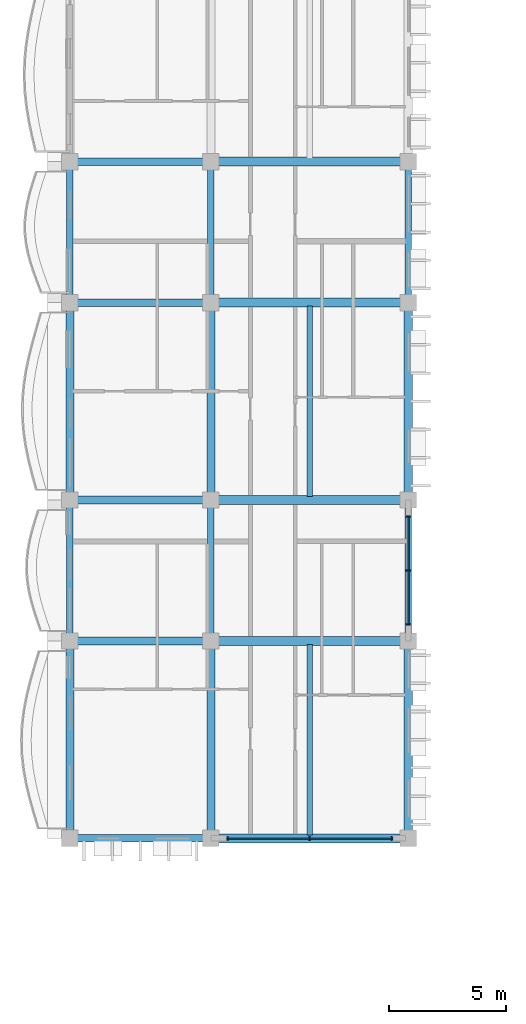
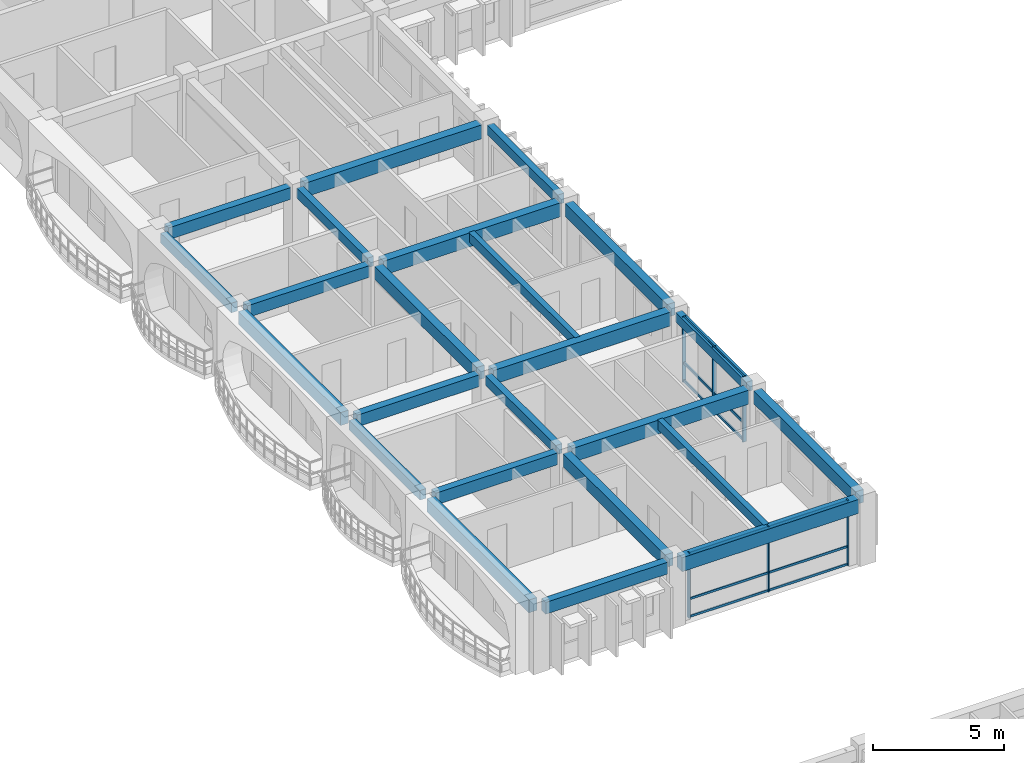
# One storey, part 8 of 79: 24 beams, 12 members, 2 elements without a shape of their own.
"""IFC4 building model written with IfcOpenShell, lengths in metres."""

from ifc_helpers import new_model, si_unit, direction, frame, origin, origin_2d, place, context, subcontext, project, spatial, rectangle, extrude, material, material_profile, profile_set, type_object, element, aggregate, save


model = new_model("IFC4")

# Units and contexts
model_context = context("Model", 3, precision=1e-05, world=origin(), true_north=direction((0.0, 1.0)))
body_context = subcontext(model_context, "Body", "Model", "MODEL_VIEW")
ifc_project = project(units=[si_unit("LENGTHUNIT", "METRE"), si_unit("AREAUNIT", "SQUARE_METRE"), si_unit("VOLUMEUNIT", "CUBIC_METRE"), si_unit("PLANEANGLEUNIT", "RADIAN"), si_unit("MASSUNIT", "GRAM", prefix="KILO"), si_unit("THERMODYNAMICTEMPERATUREUNIT", "KELVIN")], contexts=[model_context])

# Site, building, storey
site_placement = place(None, origin())
site = spatial("IfcSite", under=ifc_project, at=site_placement, CompositionType="ELEMENT")
building_placement = place(site_placement, origin())
building = spatial("IfcBuilding", under=site, at=building_placement, Name="Thalorik Housing Commons", CompositionType="ELEMENT")
storey_placement = place(building_placement, frame((0.0, 0.0, 11.39990234375)))
storey = spatial("IfcBuildingStorey", under=building, at=storey_placement, Name="L03", CompositionType="ELEMENT", Elevation=11.39990234375)

# Curtain wall, members
ifc_material_1 = material(Name="Anodised aluminium and solar-control low-E glass", Category="aluminium")
curtain_wall_type = type_object("IfcCurtainWallType", Name="ARC-CW-LOUNGE", PredefinedType="USERDEFINED", material=ifc_material_1)
curtain_wall_1_placement = place(storey_placement, origin())
curtain_wall_1 = element("IfcCurtainWall", 1, at=curtain_wall_1_placement, inside=storey, type_object=curtain_wall_type, Name="L03 Curtain Wall CW-RES-L03-A-016", ObjectType="CURTAIN WALL", PredefinedType="USERDEFINED")
ifc_material_2 = material(Name="Anodised aluminium 6063-T6", Category="aluminium")
ifc_material_profile_1 = material_profile(ifc_material_2, rectangle(XDim=0.054931640625, YDim=0.139892578125, at=origin_2d()), Name="ALU MUL 55x140", Category="aluminium")
ifc_profile_set_1 = profile_set([ifc_material_profile_1], Name="Anodised aluminium 6063-T6")
member_type_1 = type_object("IfcMemberType", Name="ARC-CW-MUL-55x140", PredefinedType="MULLION", material=ifc_profile_set_1)
member_1_placement = place(storey_placement, frame((15.10009765625, 72.0, 0.0), z_axis=(0.0, 0.0, 1.0), x_axis=(1.0, 0.0, 0.0)))
member_1 = element("IfcMember", 2, at=member_1_placement, type_object=member_type_1, Name="CW-RES-L03-A-016 Mullion 1", PredefinedType="MULLION", context=body_context, shape_type="SweptSolid", body=[
    extrude(rectangle(XDim=0.054931640625, YDim=0.139892578125, at=origin_2d()), origin(), (0.0, 0.0, 1.0), 3.0400390625),
])
member_2_placement = place(storey_placement, frame((18.60009765625, 72.0, 0.0), z_axis=(0.0, 0.0, 1.0), x_axis=(1.0, 0.0, 0.0)))
member_2 = element("IfcMember", 3, at=member_2_placement, type_object=member_type_1, Name="CW-RES-L03-A-016 Mullion 2", PredefinedType="MULLION", context=body_context, shape_type="SweptSolid", body=[
    extrude(rectangle(XDim=0.054931640625, YDim=0.139892578125, at=origin_2d()), origin(), (0.0, 0.0, 1.0), 3.0400390625),
])
member_3_placement = place(storey_placement, frame((22.10009765625, 72.0, 0.0), z_axis=(0.0, 0.0, 1.0), x_axis=(1.0, 0.0, 0.0)))
member_3 = element("IfcMember", 4, at=member_3_placement, type_object=member_type_1, Name="CW-RES-L03-A-016 Mullion 3", PredefinedType="MULLION", context=body_context, shape_type="SweptSolid", body=[
    extrude(rectangle(XDim=0.054931640625, YDim=0.139892578125, at=origin_2d()), origin(), (0.0, 0.0, 1.0), 3.0400390625),
])

curtain_wall_2_placement = place(storey_placement, origin())
curtain_wall_2 = element("IfcCurtainWall", 5, at=curtain_wall_2_placement, inside=storey, type_object=curtain_wall_type, Name="L03 Curtain Wall CW-RES-L03-A-017", ObjectType="CURTAIN WALL", PredefinedType="USERDEFINED")
ifc_material_profile_2 = material_profile(ifc_material_2, rectangle(XDim=0.06005859375, YDim=0.159912109375, at=origin_2d()), Name="ALU MUL 60x160", Category="aluminium")
ifc_profile_set_2 = profile_set([ifc_material_profile_2], Name="Anodised aluminium 6063-T6")
member_type_2 = type_object("IfcMemberType", Name="ARC-CW-MUL-60x160", PredefinedType="MULLION", material=ifc_profile_set_2)
member_4_placement = place(storey_placement, frame((22.800048828125, 81.10009765625, 0.0), z_axis=(0.0, 0.0, 1.0), x_axis=(0.0, 1.0, 0.0)))
member_4 = element("IfcMember", 6, at=member_4_placement, type_object=member_type_2, Name="CW-RES-L03-A-017 Mullion 1", PredefinedType="MULLION", context=body_context, shape_type="SweptSolid", body=[
    extrude(rectangle(XDim=0.06005859375, YDim=0.159912109375, at=origin_2d()), origin(), (0.0, 0.0, 1.0), 3.0400390625),
])
member_5_placement = place(storey_placement, frame((22.800048828125, 83.39990234375, 0.0), z_axis=(0.0, 0.0, 1.0), x_axis=(0.0, 1.0, 0.0)))
member_5 = element("IfcMember", 7, at=member_5_placement, type_object=member_type_2, Name="CW-RES-L03-A-017 Mullion 2", PredefinedType="MULLION", context=body_context, shape_type="SweptSolid", body=[
    extrude(rectangle(XDim=0.06005859375, YDim=0.159912109375, at=origin_2d()), origin(), (0.0, 0.0, 1.0), 3.0400390625),
])
member_6_placement = place(storey_placement, frame((22.800048828125, 85.699951171875, 0.0), z_axis=(0.0, 0.0, 1.0), x_axis=(0.0, 1.0, 0.0)))
member_6 = element("IfcMember", 8, at=member_6_placement, type_object=member_type_2, Name="CW-RES-L03-A-017 Mullion 3", PredefinedType="MULLION", context=body_context, shape_type="SweptSolid", body=[
    extrude(rectangle(XDim=0.06005859375, YDim=0.159912109375, at=origin_2d()), origin(), (0.0, 0.0, 1.0), 3.0400390625),
])

# Member
ifc_material_profile_3 = material_profile(ifc_material_2, rectangle(XDim=0.054931640625, YDim=0.10498046875, at=origin_2d()), Name="ALU TRN 55x105", Category="aluminium")
ifc_profile_set_3 = profile_set([ifc_material_profile_3], Name="Anodised aluminium 6063-T6")
member_type_3 = type_object("IfcMemberType", Name="ARC-CW-TRN-55x105", PredefinedType="USERDEFINED", material=ifc_profile_set_3)
member_7_placement = place(storey_placement, frame((15.10009765625, 72.0, 0.05517578125), z_axis=(1.0, 0.0, 0.0), x_axis=(0.0, 1.0, 0.0)))
member_7 = element("IfcMember", 9, at=member_7_placement, type_object=member_type_3, Name="CW-RES-L03-A-016 Transom 1", ObjectType="TRANSOM", PredefinedType="USERDEFINED", context=body_context, shape_type="SweptSolid", body=[
    extrude(rectangle(XDim=0.054931640625, YDim=0.10498046875, at=origin_2d()), origin(), (0.0, 0.0, 1.0), 7.0),
])

member_8_placement = place(storey_placement, frame((15.10009765625, 72.0, 0.880126953125), z_axis=(1.0, 0.0, 0.0), x_axis=(0.0, 1.0, 0.0)))
member_8 = element("IfcMember", 10, at=member_8_placement, type_object=member_type_3, Name="CW-RES-L03-A-016 Transom 2", ObjectType="TRANSOM", PredefinedType="USERDEFINED", context=body_context, shape_type="SweptSolid", body=[
    extrude(rectangle(XDim=0.054931640625, YDim=0.10498046875, at=origin_2d()), origin(), (0.0, 0.0, 1.0), 7.0),
])

member_9_placement = place(storey_placement, frame((15.10009765625, 72.0, 2.985107421875), z_axis=(1.0, 0.0, 0.0), x_axis=(0.0, 1.0, 0.0)))
member_9 = element("IfcMember", 11, at=member_9_placement, type_object=member_type_3, Name="CW-RES-L03-A-016 Transom 3", ObjectType="TRANSOM", PredefinedType="USERDEFINED", context=body_context, shape_type="SweptSolid", body=[
    extrude(rectangle(XDim=0.054931640625, YDim=0.10498046875, at=origin_2d()), origin(), (0.0, 0.0, 1.0), 7.0),
])

aggregate(curtain_wall_1, [member_1, member_2, member_3, member_7, member_8, member_9])

ifc_material_profile_4 = material_profile(ifc_material_2, rectangle(XDim=0.06005859375, YDim=0.1201171875, at=origin_2d()), Name="ALU TRN 60x120", Category="aluminium")
ifc_profile_set_4 = profile_set([ifc_material_profile_4], Name="Anodised aluminium 6063-T6")
member_type_4 = type_object("IfcMemberType", Name="ARC-CW-TRN-60x120", PredefinedType="USERDEFINED", material=ifc_profile_set_4)
member_10_placement = place(storey_placement, frame((22.800048828125, 81.10009765625, 0.05517578125), z_axis=(0.0, 1.0, 0.0), x_axis=(-1.0, 0.0, 0.0)))
member_10 = element("IfcMember", 12, at=member_10_placement, type_object=member_type_4, Name="CW-RES-L03-A-017 Transom 1", ObjectType="TRANSOM", PredefinedType="USERDEFINED", context=body_context, shape_type="SweptSolid", body=[
    extrude(rectangle(XDim=0.06005859375, YDim=0.1201171875, at=origin_2d()), origin(), (0.0, 0.0, 1.0), 4.599853515625),
])

member_11_placement = place(storey_placement, frame((22.800048828125, 81.10009765625, 0.880126953125), z_axis=(0.0, 1.0, 0.0), x_axis=(-1.0, 0.0, 0.0)))
member_11 = element("IfcMember", 13, at=member_11_placement, type_object=member_type_4, Name="CW-RES-L03-A-017 Transom 2", ObjectType="TRANSOM", PredefinedType="USERDEFINED", context=body_context, shape_type="SweptSolid", body=[
    extrude(rectangle(XDim=0.06005859375, YDim=0.1201171875, at=origin_2d()), origin(), (0.0, 0.0, 1.0), 4.599853515625),
])

member_12_placement = place(storey_placement, frame((22.800048828125, 81.10009765625, 2.985107421875), z_axis=(0.0, 1.0, 0.0), x_axis=(-1.0, 0.0, 0.0)))
member_12 = element("IfcMember", 14, at=member_12_placement, type_object=member_type_4, Name="CW-RES-L03-A-017 Transom 3", ObjectType="TRANSOM", PredefinedType="USERDEFINED", context=body_context, shape_type="SweptSolid", body=[
    extrude(rectangle(XDim=0.06005859375, YDim=0.1201171875, at=origin_2d()), origin(), (0.0, 0.0, 1.0), 4.599853515625),
])

aggregate(curtain_wall_2, [member_4, member_5, member_6, member_10, member_11, member_12])

# Beams
ifc_material_3 = material(Name="Precast concrete C40/50", Category="concrete")
ifc_material_profile_5 = material_profile(ifc_material_3, rectangle(XDim=0.280029296875, YDim=0.449951171875, at=origin_2d()), Name="PC 280x450", Category="concrete")
ifc_profile_set_5 = profile_set([ifc_material_profile_5], Name="Precast concrete C40/50")
beam_type_1 = type_object("IfcBeamType", Name="STR-BM-PC280x450", PredefinedType="BEAM", material=ifc_profile_set_5)
beam_1_placement = place(storey_placement, frame((8.39990234375, 80.699951171875, 2.815185546875), z_axis=(0.0, 1.0, 0.0), x_axis=(-1.0, 0.0, 0.0)))
element("IfcBeam", 15, at=beam_1_placement, inside=storey, type_object=beam_type_1, Name="L03 Beam B-450", PredefinedType="BEAM", context=body_context, shape_type="SweptSolid", body=[
    extrude(rectangle(XDim=0.280029296875, YDim=0.449951171875, at=origin_2d()), origin(), (0.0, 0.0, 1.0), 5.400146484375),
])
beam_2_placement = place(storey_placement, frame((8.39990234375, 95.10009765625, 2.815185546875), z_axis=(0.0, 1.0, 0.0), x_axis=(-1.0, 0.0, 0.0)))
element("IfcBeam", 16, at=beam_2_placement, inside=storey, type_object=beam_type_1, Name="L03 Beam B-450", PredefinedType="BEAM", context=body_context, shape_type="SweptSolid", body=[
    extrude(rectangle(XDim=0.280029296875, YDim=0.449951171875, at=origin_2d()), origin(), (0.0, 0.0, 1.0), 5.39990234375),
])
beam_3_placement = place(storey_placement, frame((14.39990234375, 80.699951171875, 2.815185546875), z_axis=(0.0, 1.0, 0.0), x_axis=(-1.0, 0.0, 0.0)))
element("IfcBeam", 17, at=beam_3_placement, inside=storey, type_object=beam_type_1, Name="L03 Beam B-450", PredefinedType="BEAM", context=body_context, shape_type="SweptSolid", body=[
    extrude(rectangle(XDim=0.280029296875, YDim=0.449951171875, at=origin_2d()), origin(), (0.0, 0.0, 1.0), 5.400146484375),
])
beam_4_placement = place(storey_placement, frame((14.39990234375, 95.10009765625, 2.815185546875), z_axis=(0.0, 1.0, 0.0), x_axis=(-1.0, 0.0, 0.0)))
element("IfcBeam", 18, at=beam_4_placement, inside=storey, type_object=beam_type_1, Name="L03 Beam B-450", PredefinedType="BEAM", context=body_context, shape_type="SweptSolid", body=[
    extrude(rectangle(XDim=0.280029296875, YDim=0.449951171875, at=origin_2d()), origin(), (0.0, 0.0, 1.0), 5.39990234375),
])
beam_5_placement = place(storey_placement, frame((22.800048828125, 80.699951171875, 2.815185546875), z_axis=(0.0, 1.0, 0.0), x_axis=(-1.0, 0.0, 0.0)))
element("IfcBeam", 19, at=beam_5_placement, inside=storey, type_object=beam_type_1, Name="L03 Beam B-450", PredefinedType="BEAM", context=body_context, shape_type="SweptSolid", body=[
    extrude(rectangle(XDim=0.280029296875, YDim=0.449951171875, at=origin_2d()), origin(), (0.0, 0.0, 1.0), 5.400146484375),
])
beam_6_placement = place(storey_placement, frame((22.800048828125, 95.10009765625, 2.815185546875), z_axis=(0.0, 1.0, 0.0), x_axis=(-1.0, 0.0, 0.0)))
element("IfcBeam", 20, at=beam_6_placement, inside=storey, type_object=beam_type_1, Name="L03 Beam B-450", PredefinedType="BEAM", context=body_context, shape_type="SweptSolid", body=[
    extrude(rectangle(XDim=0.280029296875, YDim=0.449951171875, at=origin_2d()), origin(), (0.0, 0.0, 1.0), 5.39990234375),
])
ifc_material_profile_6 = material_profile(ifc_material_3, rectangle(XDim=0.320068359375, YDim=0.550048828125, at=origin_2d()), Name="PC 320x550", Category="concrete")
ifc_profile_set_6 = profile_set([ifc_material_profile_6], Name="Precast concrete C40/50")
beam_type_2 = type_object("IfcBeamType", Name="STR-BM-PC320x550", PredefinedType="BEAM", material=ifc_profile_set_6)
for number, where, z_axis, x_axis, name in (
    (21, (8.699951171875, 72.0, 2.76513671875), (1.0, 0.0, 0.0), (0.0, 1.0, 0.0), "L03 Beam B-550"),
    (22, (8.699951171875, 80.39990234375, 2.76513671875), (1.0, 0.0, 0.0), (0.0, 1.0, 0.0), "L03 Beam B-550"),
    (23, (8.699951171875, 86.39990234375, 2.76513671875), (1.0, 0.0, 0.0), (0.0, 1.0, 0.0), "L03 Beam B-550"),
    (24, (8.699951171875, 94.800048828125, 2.76513671875), (1.0, 0.0, 0.0), (0.0, 1.0, 0.0), "L03 Beam B-550"),
    (25, (8.699951171875, 100.800048828125, 2.76513671875), (1.0, 0.0, 0.0), (0.0, 1.0, 0.0), "L03 Beam B-550"),
):
    element("IfcBeam", number, at=place(storey_placement, frame(where, z_axis=z_axis, x_axis=x_axis)), inside=storey, type_object=beam_type_2, Name=name, PredefinedType="BEAM", context=body_context, shape_type="SweptSolid", body=[
        extrude(rectangle(XDim=0.320068359375, YDim=0.550048828125, at=origin_2d()), origin(), (0.0, 0.0, 1.0), 5.400146484375),
    ])
ifc_material_profile_7 = material_profile(ifc_material_3, rectangle(XDim=0.35009765625, YDim=0.60009765625, at=origin_2d()), Name="PC 350x600", Category="concrete")
ifc_profile_set_7 = profile_set([ifc_material_profile_7], Name="Precast concrete C40/50")
beam_type_3 = type_object("IfcBeamType", Name="STR-BM-PC350x600", PredefinedType="BEAM", material=ifc_profile_set_7)
for number, where, z_axis, x_axis, name in (
    (26, (8.39990234375, 72.300048828125, 2.739990234375), (0.0, 1.0, 0.0), (-1.0, 0.0, 0.0), "L03 Beam B-600"),
    (27, (8.39990234375, 86.699951171875, 2.739990234375), (0.0, 1.0, 0.0), (-1.0, 0.0, 0.0), "L03 Beam B-600"),
    (28, (14.39990234375, 72.300048828125, 2.739990234375), (0.0, 1.0, 0.0), (-1.0, 0.0, 0.0), "L03 Beam B-600"),
    (29, (14.39990234375, 86.699951171875, 2.739990234375), (0.0, 1.0, 0.0), (-1.0, 0.0, 0.0), "L03 Beam B-600"),
    (30, (22.800048828125, 72.300048828125, 2.739990234375), (0.0, 1.0, 0.0), (-1.0, 0.0, 0.0), "L03 Beam B-600"),
    (31, (22.800048828125, 86.699951171875, 2.739990234375), (0.0, 1.0, 0.0), (-1.0, 0.0, 0.0), "L03 Beam B-600"),
):
    element("IfcBeam", number, at=place(storey_placement, frame(where, z_axis=z_axis, x_axis=x_axis)), inside=storey, type_object=beam_type_3, Name=name, PredefinedType="BEAM", context=body_context, shape_type="SweptSolid", body=[
        extrude(rectangle(XDim=0.35009765625, YDim=0.60009765625, at=origin_2d()), origin(), (0.0, 0.0, 1.0), 7.800048828125),
    ])
ifc_material_profile_8 = material_profile(ifc_material_3, rectangle(XDim=0.3798828125, YDim=0.64990234375, at=origin_2d()), Name="PC 380x650", Category="concrete")
ifc_profile_set_8 = profile_set([ifc_material_profile_8], Name="Precast concrete C40/50")
beam_type_4 = type_object("IfcBeamType", Name="STR-BM-PC380x650", PredefinedType="BEAM", material=ifc_profile_set_8)
for number, where, z_axis, x_axis, name in (
    (32, (14.699951171875, 72.0, 2.715087890625), (1.0, 0.0, 0.0), (0.0, 1.0, 0.0), "L03 Beam B-650"),
    (33, (14.699951171875, 80.39990234375, 2.715087890625), (1.0, 0.0, 0.0), (0.0, 1.0, 0.0), "L03 Beam B-650"),
    (34, (14.699951171875, 86.39990234375, 2.715087890625), (1.0, 0.0, 0.0), (0.0, 1.0, 0.0), "L03 Beam B-650"),
    (35, (14.699951171875, 94.800048828125, 2.715087890625), (1.0, 0.0, 0.0), (0.0, 1.0, 0.0), "L03 Beam B-650"),
    (36, (14.699951171875, 100.800048828125, 2.715087890625), (1.0, 0.0, 0.0), (0.0, 1.0, 0.0), "L03 Beam B-650"),
):
    element("IfcBeam", number, at=place(storey_placement, frame(where, z_axis=z_axis, x_axis=x_axis)), inside=storey, type_object=beam_type_4, Name=name, PredefinedType="BEAM", context=body_context, shape_type="SweptSolid", body=[
        extrude(rectangle(XDim=0.3798828125, YDim=0.64990234375, at=origin_2d()), origin(), (0.0, 0.0, 1.0), 7.800048828125),
    ])
ifc_material_profile_9 = material_profile(ifc_material_3, rectangle(XDim=0.239990234375, YDim=0.43994140625, at=origin_2d()), Name="PC JST 240x440", Category="concrete")
ifc_profile_set_9 = profile_set([ifc_material_profile_9], Name="Precast concrete C40/50")
beam_type_5 = type_object("IfcBeamType", Name="STR-JST-PC240x440", PredefinedType="JOIST", material=ifc_profile_set_9)
beam_7_placement = place(storey_placement, frame((18.60009765625, 72.139892578125, 2.820068359375), z_axis=(0.0, 1.0, 0.0), x_axis=(-1.0, 0.0, 0.0)))
element("IfcBeam", 37, at=beam_7_placement, inside=storey, type_object=beam_type_5, Name="L03 Beam J-440", PredefinedType="JOIST", context=body_context, shape_type="SweptSolid", body=[
    extrude(rectangle(XDim=0.239990234375, YDim=0.43994140625, at=origin_2d()), origin(), (0.0, 0.0, 1.0), 8.1201171875),
])
beam_8_placement = place(storey_placement, frame((18.60009765625, 86.5400390625, 2.820068359375), z_axis=(0.0, 1.0, 0.0), x_axis=(-1.0, 0.0, 0.0)))
element("IfcBeam", 38, at=beam_8_placement, inside=storey, type_object=beam_type_5, Name="L03 Beam J-440", PredefinedType="JOIST", context=body_context, shape_type="SweptSolid", body=[
    extrude(rectangle(XDim=0.239990234375, YDim=0.43994140625, at=origin_2d()), origin(), (0.0, 0.0, 1.0), 8.119873046875),
])

save(model, "model.ifc")
